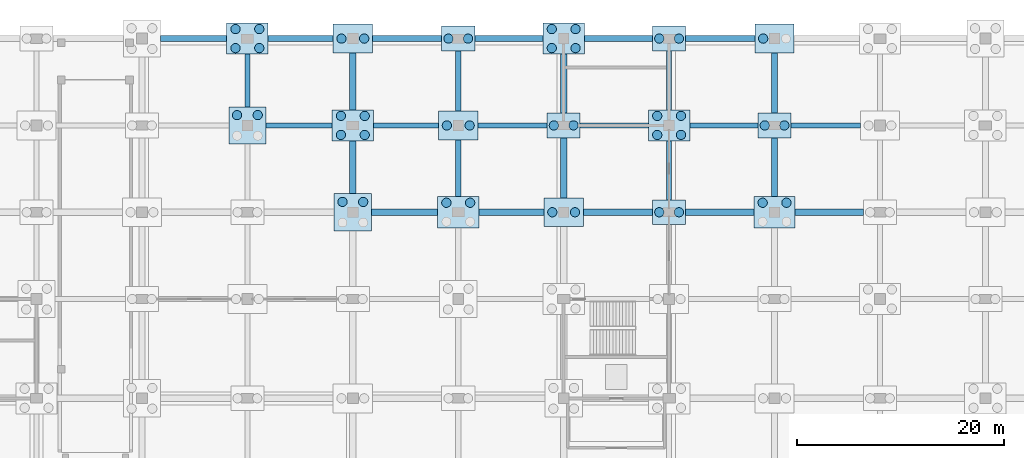
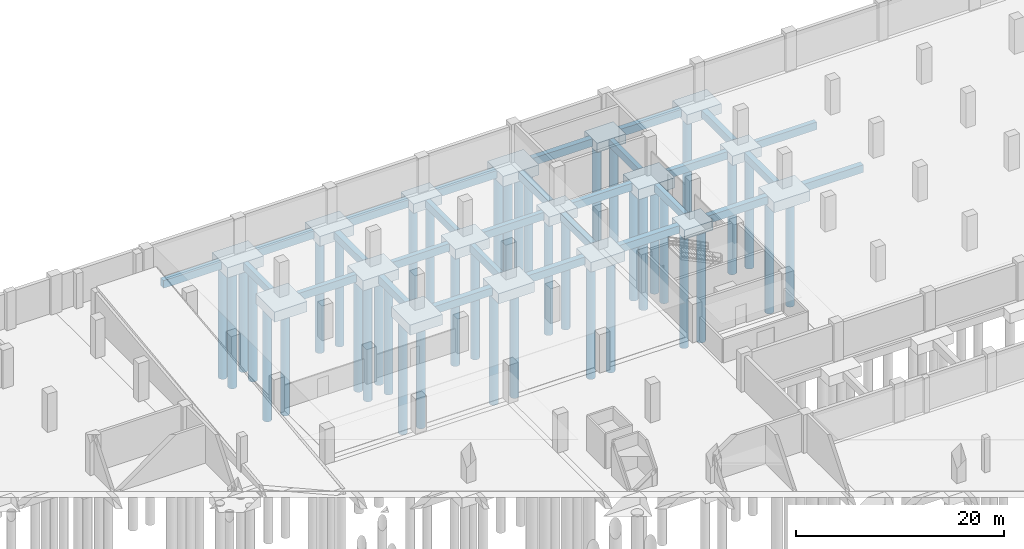
# One storey, part 20 of 52: 45 footings, 41 piles.
"""IFC4 building model written with IfcOpenShell, lengths in metres."""

from ifc_helpers import new_model, si_unit, direction, frame, origin, origin_2d, place, context, subcontext, project, spatial, polyline, rectangle, circle, outline, extrude, material, material_profile, profile_set, type_object, element, save


model = new_model("IFC4")

# Units and contexts
model_context = context("Model", 3, precision=1e-05, world=origin(), true_north=direction((0.0, 1.0)))
body_context = subcontext(model_context, "Body", "Model", "MODEL_VIEW")
ifc_project = project(units=[si_unit("LENGTHUNIT", "METRE"), si_unit("AREAUNIT", "SQUARE_METRE"), si_unit("VOLUMEUNIT", "CUBIC_METRE"), si_unit("PLANEANGLEUNIT", "RADIAN"), si_unit("MASSUNIT", "GRAM", prefix="KILO")], contexts=[model_context])

# Site, building, storey
site_placement = place(None, origin())
site = spatial("IfcSite", under=ifc_project, at=site_placement, CompositionType="ELEMENT")
building_placement = place(site_placement, origin())
building = spatial("IfcBuilding", under=site, at=building_placement, Name="Brelvane Convention Centre", CompositionType="ELEMENT")
storey_placement = place(building_placement, frame((0.0, 0.0, -4.5)))
storey = spatial("IfcBuildingStorey", under=building, at=storey_placement, Name="B1", CompositionType="ELEMENT", Elevation=-4.5)

# Piles
ifc_material_1 = material(Name="Concrete M40", Category="concrete")
ifc_material_profile_1 = material_profile(ifc_material_1, circle(Radius=0.449951171875, at=origin_2d()), Name="PILE D900")
ifc_profile_set_1 = profile_set([ifc_material_profile_1], Name="Concrete M40")
pile_type = type_object("IfcPileType", Name="Bored Pile PL-900", PredefinedType="BORED", material=ifc_profile_set_1)
for number, where, z_axis, x_axis, name in (
    (1, (131.60009765625, 136.60009765625, -1.550048828125), (0.0, 0.0, -1.0), (1.0, 0.0, 0.0), "Bored Pile PL-900 14-P-3"),
    (2, (133.60009765625, 136.60009765625, -1.550048828125), (0.0, 0.0, -1.0), (1.0, 0.0, 0.0), "Bored Pile PL-900 14-P-4"),
    (3, (131.449951171875, 143.080078125, -1.550048828125), (0.0, 0.0, -1.0), (1.0, 0.0, 0.0), "Bored Pile PL-900 14-Q-1"),
    (4, (133.75, 143.080078125, -1.550048828125), (0.0, 0.0, -1.0), (1.0, 0.0, 0.0), "Bored Pile PL-900 14-Q-2"),
    (5, (131.449951171875, 144.919921875, -1.550048828125), (0.0, 0.0, -1.0), (1.0, 0.0, 0.0), "Bored Pile PL-900 14-Q-3"),
    (6, (133.75, 144.919921875, -1.550048828125), (0.0, 0.0, -1.0), (1.0, 0.0, 0.0), "Bored Pile PL-900 14-Q-4"),
    (7, (141.800048828125, 128.199951171875, -1.550048828125), (0.0, 0.0, -1.0), (1.0, 0.0, 0.0), "Bored Pile PL-900 15-N-3"),
    (8, (143.800048828125, 128.199951171875, -1.550048828125), (0.0, 0.0, -1.0), (1.0, 0.0, 0.0), "Bored Pile PL-900 15-N-4"),
    (9, (141.64990234375, 134.679931640625, -1.550048828125), (0.0, 0.0, -1.0), (1.0, 0.0, 0.0), "Bored Pile PL-900 15-P-1"),
    (10, (143.949951171875, 134.679931640625, -1.550048828125), (0.0, 0.0, -1.0), (1.0, 0.0, 0.0), "Bored Pile PL-900 15-P-2"),
    (11, (141.64990234375, 136.52001953125, -1.550048828125), (0.0, 0.0, -1.0), (1.0, 0.0, 0.0), "Bored Pile PL-900 15-P-3"),
    (12, (143.949951171875, 136.52001953125, -1.550048828125), (0.0, 0.0, -1.0), (1.0, 0.0, 0.0), "Bored Pile PL-900 15-P-4"),
):
    element("IfcPile", number, at=place(storey_placement, frame(where, z_axis=z_axis, x_axis=x_axis)), inside=storey, type_object=pile_type, Name=name, PredefinedType="BORED", context=body_context, shape_type="SweptSolid", body=[
        extrude(circle(Radius=0.449951171875, at=origin_2d()), origin(), (0.0, 0.0, 1.0), 13.449951171875),
    ])
for number, where, z_axis, x_axis, name in (
    (13, (141.699951171875, 144.0, -1.5), (0.0, 0.0, -1.0), (1.0, 0.0, 0.0), "Bored Pile PL-900 15-Q-1"),
    (14, (143.89990234375, 144.0, -1.5), (0.0, 0.0, -1.0), (1.0, 0.0, 0.0), "Bored Pile PL-900 15-Q-2"),
):
    element("IfcPile", number, at=place(storey_placement, frame(where, z_axis=z_axis, x_axis=x_axis)), inside=storey, type_object=pile_type, Name=name, PredefinedType="BORED", context=body_context, shape_type="SweptSolid", body=[
        extrude(circle(Radius=0.449951171875, at=origin_2d()), origin(), (0.0, 0.0, 1.0), 13.5),
    ])
for number, where, z_axis, x_axis, name in (
    (15, (151.85009765625, 128.1201171875, -1.550048828125), (0.0, 0.0, -1.0), (1.0, 0.0, 0.0), "Bored Pile PL-900 16-N-3"),
    (16, (154.14990234375, 128.1201171875, -1.550048828125), (0.0, 0.0, -1.0), (1.0, 0.0, 0.0), "Bored Pile PL-900 16-N-4"),
):
    element("IfcPile", number, at=place(storey_placement, frame(where, z_axis=z_axis, x_axis=x_axis)), inside=storey, type_object=pile_type, Name=name, PredefinedType="BORED", context=body_context, shape_type="SweptSolid", body=[
        extrude(circle(Radius=0.449951171875, at=origin_2d()), origin(), (0.0, 0.0, 1.0), 13.449951171875),
    ])
for number, where, z_axis, x_axis, name in (
    (17, (151.89990234375, 135.60009765625, -1.5), (0.0, 0.0, -1.0), (1.0, 0.0, 0.0), "Bored Pile PL-900 16-P-1"),
    (18, (154.10009765625, 135.60009765625, -1.5), (0.0, 0.0, -1.0), (1.0, 0.0, 0.0), "Bored Pile PL-900 16-P-2"),
):
    element("IfcPile", number, at=place(storey_placement, frame(where, z_axis=z_axis, x_axis=x_axis)), inside=storey, type_object=pile_type, Name=name, PredefinedType="BORED", context=body_context, shape_type="SweptSolid", body=[
        extrude(circle(Radius=0.449951171875, at=origin_2d()), origin(), (0.0, 0.0, 1.0), 13.5),
    ])
for number, where, z_axis, x_axis, name in (
    (19, (152.050048828125, 144.0, -1.449951171875), (0.0, 0.0, -1.0), (1.0, 0.0, 0.0), "Bored Pile PL-900 16-Q-1"),
    (20, (153.949951171875, 144.0, -1.449951171875), (0.0, 0.0, -1.0), (1.0, 0.0, 0.0), "Bored Pile PL-900 16-Q-2"),
):
    element("IfcPile", number, at=place(storey_placement, frame(where, z_axis=z_axis, x_axis=x_axis)), inside=storey, type_object=pile_type, Name=name, PredefinedType="BORED", context=body_context, shape_type="SweptSolid", body=[
        extrude(circle(Radius=0.449951171875, at=origin_2d()), origin(), (0.0, 0.0, 1.0), 13.550048828125),
    ])
for number, where, z_axis, x_axis, name in (
    (21, (162.10009765625, 127.199951171875, -1.5), (0.0, 0.0, -1.0), (1.0, 0.0, 0.0), "Bored Pile PL-900 17-N-1"),
    (22, (164.300048828125, 127.199951171875, -1.5), (0.0, 0.0, -1.0), (1.0, 0.0, 0.0), "Bored Pile PL-900 17-N-2"),
):
    element("IfcPile", number, at=place(storey_placement, frame(where, z_axis=z_axis, x_axis=x_axis)), inside=storey, type_object=pile_type, Name=name, PredefinedType="BORED", context=body_context, shape_type="SweptSolid", body=[
        extrude(circle(Radius=0.449951171875, at=origin_2d()), origin(), (0.0, 0.0, 1.0), 13.5),
    ])
for number, where, z_axis, x_axis, name in (
    (23, (162.25, 135.60009765625, -1.449951171875), (0.0, 0.0, -1.0), (1.0, 0.0, 0.0), "Bored Pile PL-900 17-P-1"),
    (24, (164.14990234375, 135.60009765625, -1.449951171875), (0.0, 0.0, -1.0), (1.0, 0.0, 0.0), "Bored Pile PL-900 17-P-2"),
):
    element("IfcPile", number, at=place(storey_placement, frame(where, z_axis=z_axis, x_axis=x_axis)), inside=storey, type_object=pile_type, Name=name, PredefinedType="BORED", context=body_context, shape_type="SweptSolid", body=[
        extrude(circle(Radius=0.449951171875, at=origin_2d()), origin(), (0.0, 0.0, 1.0), 13.550048828125),
    ])
for number, where, z_axis, x_axis, name in (
    (25, (162.050048828125, 143.080078125, -1.550048828125), (0.0, 0.0, -1.0), (1.0, 0.0, 0.0), "Bored Pile PL-900 17-Q-1"),
    (26, (164.35009765625, 143.080078125, -1.550048828125), (0.0, 0.0, -1.0), (1.0, 0.0, 0.0), "Bored Pile PL-900 17-Q-2"),
    (27, (162.050048828125, 144.919921875, -1.550048828125), (0.0, 0.0, -1.0), (1.0, 0.0, 0.0), "Bored Pile PL-900 17-Q-3"),
    (28, (164.35009765625, 144.919921875, -1.550048828125), (0.0, 0.0, -1.0), (1.0, 0.0, 0.0), "Bored Pile PL-900 17-Q-4"),
):
    element("IfcPile", number, at=place(storey_placement, frame(where, z_axis=z_axis, x_axis=x_axis)), inside=storey, type_object=pile_type, Name=name, PredefinedType="BORED", context=body_context, shape_type="SweptSolid", body=[
        extrude(circle(Radius=0.449951171875, at=origin_2d()), origin(), (0.0, 0.0, 1.0), 13.449951171875),
    ])
for number, where, z_axis, x_axis, name in (
    (29, (172.449951171875, 127.199951171875, -1.449951171875), (0.0, 0.0, -1.0), (1.0, 0.0, 0.0), "Bored Pile PL-900 18-N-1"),
    (30, (174.35009765625, 127.199951171875, -1.449951171875), (0.0, 0.0, -1.0), (1.0, 0.0, 0.0), "Bored Pile PL-900 18-N-2"),
):
    element("IfcPile", number, at=place(storey_placement, frame(where, z_axis=z_axis, x_axis=x_axis)), inside=storey, type_object=pile_type, Name=name, PredefinedType="BORED", context=body_context, shape_type="SweptSolid", body=[
        extrude(circle(Radius=0.449951171875, at=origin_2d()), origin(), (0.0, 0.0, 1.0), 13.550048828125),
    ])
for number, where, z_axis, x_axis, name in (
    (31, (172.25, 134.679931640625, -1.550048828125), (0.0, 0.0, -1.0), (1.0, 0.0, 0.0), "Bored Pile PL-900 18-P-1"),
    (32, (174.550048828125, 134.679931640625, -1.550048828125), (0.0, 0.0, -1.0), (1.0, 0.0, 0.0), "Bored Pile PL-900 18-P-2"),
    (33, (172.25, 136.52001953125, -1.550048828125), (0.0, 0.0, -1.0), (1.0, 0.0, 0.0), "Bored Pile PL-900 18-P-3"),
    (34, (174.550048828125, 136.52001953125, -1.550048828125), (0.0, 0.0, -1.0), (1.0, 0.0, 0.0), "Bored Pile PL-900 18-P-4"),
):
    element("IfcPile", number, at=place(storey_placement, frame(where, z_axis=z_axis, x_axis=x_axis)), inside=storey, type_object=pile_type, Name=name, PredefinedType="BORED", context=body_context, shape_type="SweptSolid", body=[
        extrude(circle(Radius=0.449951171875, at=origin_2d()), origin(), (0.0, 0.0, 1.0), 13.449951171875),
    ])
for number, where, z_axis, x_axis, name in (
    (35, (172.449951171875, 144.0, -1.449951171875), (0.0, 0.0, -1.0), (1.0, 0.0, 0.0), "Bored Pile PL-900 18-Q-1"),
    (36, (174.35009765625, 144.0, -1.449951171875), (0.0, 0.0, -1.0), (1.0, 0.0, 0.0), "Bored Pile PL-900 18-Q-2"),
):
    element("IfcPile", number, at=place(storey_placement, frame(where, z_axis=z_axis, x_axis=x_axis)), inside=storey, type_object=pile_type, Name=name, PredefinedType="BORED", context=body_context, shape_type="SweptSolid", body=[
        extrude(circle(Radius=0.449951171875, at=origin_2d()), origin(), (0.0, 0.0, 1.0), 13.550048828125),
    ])
for number, where, z_axis, x_axis, name in (
    (37, (182.449951171875, 128.1201171875, -1.550048828125), (0.0, 0.0, -1.0), (1.0, 0.0, 0.0), "Bored Pile PL-900 19-N-3"),
    (38, (184.75, 128.1201171875, -1.550048828125), (0.0, 0.0, -1.0), (1.0, 0.0, 0.0), "Bored Pile PL-900 19-N-4"),
):
    element("IfcPile", number, at=place(storey_placement, frame(where, z_axis=z_axis, x_axis=x_axis)), inside=storey, type_object=pile_type, Name=name, PredefinedType="BORED", context=body_context, shape_type="SweptSolid", body=[
        extrude(circle(Radius=0.449951171875, at=origin_2d()), origin(), (0.0, 0.0, 1.0), 13.449951171875),
    ])
for number, where, z_axis, x_axis, name in (
    (39, (182.64990234375, 135.60009765625, -1.449951171875), (0.0, 0.0, -1.0), (1.0, 0.0, 0.0), "Bored Pile PL-900 19-P-1"),
    (40, (184.550048828125, 135.60009765625, -1.449951171875), (0.0, 0.0, -1.0), (1.0, 0.0, 0.0), "Bored Pile PL-900 19-P-2"),
):
    element("IfcPile", number, at=place(storey_placement, frame(where, z_axis=z_axis, x_axis=x_axis)), inside=storey, type_object=pile_type, Name=name, PredefinedType="BORED", context=body_context, shape_type="SweptSolid", body=[
        extrude(circle(Radius=0.449951171875, at=origin_2d()), origin(), (0.0, 0.0, 1.0), 13.550048828125),
    ])
pile_placement = place(storey_placement, frame((182.5, 144.0, -1.5), z_axis=(0.0, 0.0, -1.0), x_axis=(1.0, 0.0, 0.0)))
element("IfcPile", 41, at=pile_placement, inside=storey, type_object=pile_type, Name="Bored Pile PL-900 19-Q-1", PredefinedType="BORED", context=body_context, shape_type="SweptSolid", body=[
    extrude(circle(Radius=0.449951171875, at=origin_2d()), origin(), (0.0, 0.0, 1.0), 13.5),
])

# Footings
ifc_material_2 = material(Name="Concrete M40", Category="concrete")
ifc_material_profile_2 = material_profile(ifc_material_2, rectangle(XDim=0.60009765625, YDim=0.89990234375, at=origin_2d()), Name="RC 600x900")
ifc_profile_set_2 = profile_set([ifc_material_profile_2], Name="Concrete M40")
footing_type_1 = type_object("IfcFootingType", Name="Ground Tie Beam GB-1", PredefinedType="FOOTING_BEAM", material=ifc_profile_set_2)
footing_1_placement = place(storey_placement, frame((124.199951171875, 144.0, -0.89990234375), z_axis=(1.0, 0.0, 0.0), x_axis=(0.0, 1.0, 0.0)))
element("IfcFooting", 42, at=footing_1_placement, inside=storey, type_object=footing_type_1, Name="Ground Tie Beam GB-1 13-14/Q", PredefinedType="FOOTING_BEAM", context=body_context, shape_type="SweptSolid", body=[
    extrude(rectangle(XDim=0.60009765625, YDim=0.89990234375, at=origin_2d()), origin(), (0.0, 0.0, 1.0), 6.400146484375),
])
footing_2_placement = place(storey_placement, frame((134.60009765625, 144.0, -0.89990234375), z_axis=(1.0, 0.0, 0.0), x_axis=(0.0, 1.0, 0.0)))
element("IfcFooting", 43, at=footing_2_placement, inside=storey, type_object=footing_type_1, Name="Ground Tie Beam GB-1 14-15/Q", PredefinedType="FOOTING_BEAM", context=body_context, shape_type="SweptSolid", body=[
    extrude(rectangle(XDim=0.60009765625, YDim=0.89990234375, at=origin_2d()), origin(), (0.0, 0.0, 1.0), 6.2998046875),
])
footing_3_placement = place(storey_placement, frame((144.60009765625, 127.199951171875, -0.89990234375), z_axis=(1.0, 0.0, 0.0), x_axis=(0.0, 1.0, 0.0)))
element("IfcFooting", 44, at=footing_3_placement, inside=storey, type_object=footing_type_1, Name="Ground Tie Beam GB-1 15-16/N", PredefinedType="FOOTING_BEAM", context=body_context, shape_type="SweptSolid", body=[
    extrude(rectangle(XDim=0.60009765625, YDim=0.89990234375, at=origin_2d()), origin(), (0.0, 0.0, 1.0), 6.39990234375),
])
footing_4_placement = place(storey_placement, frame((142.800048828125, 129.0, -0.89990234375), z_axis=(0.0, 1.0, 0.0), x_axis=(-1.0, 0.0, 0.0)))
element("IfcFooting", 45, at=footing_4_placement, inside=storey, type_object=footing_type_1, Name="Ground Tie Beam GB-1 15/N-P", PredefinedType="FOOTING_BEAM", context=body_context, shape_type="SweptSolid", body=[
    extrude(rectangle(XDim=0.60009765625, YDim=0.89990234375, at=origin_2d()), origin(), (0.0, 0.0, 1.0), 5.10009765625),
])
footing_5_placement = place(storey_placement, frame((142.800048828125, 137.10009765625, -0.89990234375), z_axis=(0.0, 1.0, 0.0), x_axis=(-1.0, 0.0, 0.0)))
element("IfcFooting", 46, at=footing_5_placement, inside=storey, type_object=footing_type_1, Name="Ground Tie Beam GB-1 15/P-Q", PredefinedType="FOOTING_BEAM", context=body_context, shape_type="SweptSolid", body=[
    extrude(rectangle(XDim=0.60009765625, YDim=0.89990234375, at=origin_2d()), origin(), (0.0, 0.0, 1.0), 5.5),
])
footing_6_placement = place(storey_placement, frame((144.699951171875, 144.0, -0.89990234375), z_axis=(1.0, 0.0, 0.0), x_axis=(0.0, 1.0, 0.0)))
element("IfcFooting", 47, at=footing_6_placement, inside=storey, type_object=footing_type_1, Name="Ground Tie Beam GB-1 15-16/Q", PredefinedType="FOOTING_BEAM", context=body_context, shape_type="SweptSolid", body=[
    extrude(rectangle(XDim=0.60009765625, YDim=0.89990234375, at=origin_2d()), origin(), (0.0, 0.0, 1.0), 6.699951171875),
])
footing_7_placement = place(storey_placement, frame((155.0, 127.199951171875, -0.89990234375), z_axis=(1.0, 0.0, 0.0), x_axis=(0.0, 1.0, 0.0)))
element("IfcFooting", 48, at=footing_7_placement, inside=storey, type_object=footing_type_1, Name="Ground Tie Beam GB-1 16-17/N", PredefinedType="FOOTING_BEAM", context=body_context, shape_type="SweptSolid", body=[
    extrude(rectangle(XDim=0.60009765625, YDim=0.89990234375, at=origin_2d()), origin(), (0.0, 0.0, 1.0), 6.300048828125),
])
footing_8_placement = place(storey_placement, frame((154.60009765625, 144.0, -0.89990234375), z_axis=(1.0, 0.0, 0.0), x_axis=(0.0, 1.0, 0.0)))
element("IfcFooting", 49, at=footing_8_placement, inside=storey, type_object=footing_type_1, Name="Ground Tie Beam GB-1 16-17/Q", PredefinedType="FOOTING_BEAM", context=body_context, shape_type="SweptSolid", body=[
    extrude(rectangle(XDim=0.60009765625, YDim=0.89990234375, at=origin_2d()), origin(), (0.0, 0.0, 1.0), 6.599853515625),
])
footing_9_placement = place(storey_placement, frame((165.10009765625, 127.199951171875, -0.89990234375), z_axis=(1.0, 0.0, 0.0), x_axis=(0.0, 1.0, 0.0)))
element("IfcFooting", 50, at=footing_9_placement, inside=storey, type_object=footing_type_1, Name="Ground Tie Beam GB-1 17-18/N", PredefinedType="FOOTING_BEAM", context=body_context, shape_type="SweptSolid", body=[
    extrude(rectangle(XDim=0.60009765625, YDim=0.89990234375, at=origin_2d()), origin(), (0.0, 0.0, 1.0), 6.699951171875),
])
footing_10_placement = place(storey_placement, frame((163.199951171875, 128.60009765625, -0.89990234375), z_axis=(0.0, 1.0, 0.0), x_axis=(-1.0, 0.0, 0.0)))
element("IfcFooting", 51, at=footing_10_placement, inside=storey, type_object=footing_type_1, Name="Ground Tie Beam GB-1 17/N-P", PredefinedType="FOOTING_BEAM", context=body_context, shape_type="SweptSolid", body=[
    extrude(rectangle(XDim=0.60009765625, YDim=0.89990234375, at=origin_2d()), origin(), (0.0, 0.0, 1.0), 5.7998046875),
])
footing_11_placement = place(storey_placement, frame((163.199951171875, 136.800048828125, -0.89990234375), z_axis=(0.0, 1.0, 0.0), x_axis=(-1.0, 0.0, 0.0)))
element("IfcFooting", 52, at=footing_11_placement, inside=storey, type_object=footing_type_1, Name="Ground Tie Beam GB-1 17/P-Q", PredefinedType="FOOTING_BEAM", context=body_context, shape_type="SweptSolid", body=[
    extrude(rectangle(XDim=0.60009765625, YDim=0.89990234375, at=origin_2d()), origin(), (0.0, 0.0, 1.0), 5.699951171875),
])
for number, where, z_axis, x_axis, name in (
    (53, (165.199951171875, 144.0, -0.89990234375), (1.0, 0.0, 0.0), (0.0, 1.0, 0.0), "Ground Tie Beam GB-1 17-18/Q"),
    (54, (175.0, 127.199951171875, -0.89990234375), (1.0, 0.0, 0.0), (0.0, 1.0, 0.0), "Ground Tie Beam GB-1 18-19/N"),
):
    element("IfcFooting", number, at=place(storey_placement, frame(where, z_axis=z_axis, x_axis=x_axis)), inside=storey, type_object=footing_type_1, Name=name, PredefinedType="FOOTING_BEAM", context=body_context, shape_type="SweptSolid", body=[
        extrude(rectangle(XDim=0.60009765625, YDim=0.89990234375, at=origin_2d()), origin(), (0.0, 0.0, 1.0), 6.60009765625),
    ])
footing_12_placement = place(storey_placement, frame((175.0, 144.0, -0.89990234375), z_axis=(1.0, 0.0, 0.0), x_axis=(0.0, 1.0, 0.0)))
element("IfcFooting", 55, at=footing_12_placement, inside=storey, type_object=footing_type_1, Name="Ground Tie Beam GB-1 18-19/Q", PredefinedType="FOOTING_BEAM", context=body_context, shape_type="SweptSolid", body=[
    extrude(rectangle(XDim=0.60009765625, YDim=0.89990234375, at=origin_2d()), origin(), (0.0, 0.0, 1.0), 6.699951171875),
])
footing_13_placement = place(storey_placement, frame((185.60009765625, 127.199951171875, -0.89990234375), z_axis=(1.0, 0.0, 0.0), x_axis=(0.0, 1.0, 0.0)))
element("IfcFooting", 56, at=footing_13_placement, inside=storey, type_object=footing_type_1, Name="Ground Tie Beam GB-1 19-20/N", PredefinedType="FOOTING_BEAM", context=body_context, shape_type="SweptSolid", body=[
    extrude(rectangle(XDim=0.60009765625, YDim=0.89990234375, at=origin_2d()), origin(), (0.0, 0.0, 1.0), 6.599853515625),
])
footing_14_placement = place(storey_placement, frame((183.60009765625, 128.699951171875, -0.89990234375), z_axis=(0.0, 1.0, 0.0), x_axis=(-1.0, 0.0, 0.0)))
element("IfcFooting", 57, at=footing_14_placement, inside=storey, type_object=footing_type_1, Name="Ground Tie Beam GB-1 19/N-P", PredefinedType="FOOTING_BEAM", context=body_context, shape_type="SweptSolid", body=[
    extrude(rectangle(XDim=0.60009765625, YDim=0.89990234375, at=origin_2d()), origin(), (0.0, 0.0, 1.0), 5.699951171875),
])
footing_15_placement = place(storey_placement, frame((183.60009765625, 136.800048828125, -0.89990234375), z_axis=(0.0, 1.0, 0.0), x_axis=(-1.0, 0.0, 0.0)))
element("IfcFooting", 58, at=footing_15_placement, inside=storey, type_object=footing_type_1, Name="Ground Tie Beam GB-1 19/P-Q", PredefinedType="FOOTING_BEAM", context=body_context, shape_type="SweptSolid", body=[
    extrude(rectangle(XDim=0.60009765625, YDim=0.89990234375, at=origin_2d()), origin(), (0.0, 0.0, 1.0), 5.800048828125),
])
ifc_material_3 = material(Name="Concrete M40", Category="concrete")
ifc_material_profile_3 = material_profile(ifc_material_3, rectangle(XDim=0.5, YDim=0.89990234375, at=origin_2d()), Name="RC 500x900")
ifc_profile_set_3 = profile_set([ifc_material_profile_3], Name="Concrete M40")
footing_type_2 = type_object("IfcFootingType", Name="Ground Tie Beam GB-2", PredefinedType="FOOTING_BEAM", material=ifc_profile_set_3)
footing_16_placement = place(storey_placement, frame((134.39990234375, 135.60009765625, -0.89990234375), z_axis=(1.0, 0.0, 0.0), x_axis=(0.0, 1.0, 0.0)))
element("IfcFooting", 59, at=footing_16_placement, inside=storey, type_object=footing_type_2, Name="Ground Tie Beam GB-2 14-15/P", PredefinedType="FOOTING_BEAM", context=body_context, shape_type="SweptSolid", body=[
    extrude(rectangle(XDim=0.5, YDim=0.89990234375, at=origin_2d()), origin(), (0.0, 0.0, 1.0), 6.400146484375),
])
footing_17_placement = place(storey_placement, frame((132.60009765625, 137.39990234375, -0.89990234375), z_axis=(0.0, 1.0, 0.0), x_axis=(-1.0, 0.0, 0.0)))
element("IfcFooting", 60, at=footing_17_placement, inside=storey, type_object=footing_type_2, Name="Ground Tie Beam GB-2 14/P-Q", PredefinedType="FOOTING_BEAM", context=body_context, shape_type="SweptSolid", body=[
    extrude(rectangle(XDim=0.5, YDim=0.89990234375, at=origin_2d()), origin(), (0.0, 0.0, 1.0), 5.10009765625),
])
footing_18_placement = place(storey_placement, frame((144.800048828125, 135.60009765625, -0.89990234375), z_axis=(1.0, 0.0, 0.0), x_axis=(0.0, 1.0, 0.0)))
element("IfcFooting", 61, at=footing_18_placement, inside=storey, type_object=footing_type_2, Name="Ground Tie Beam GB-2 15-16/P", PredefinedType="FOOTING_BEAM", context=body_context, shape_type="SweptSolid", body=[
    extrude(rectangle(XDim=0.5, YDim=0.89990234375, at=origin_2d()), origin(), (0.0, 0.0, 1.0), 6.300048828125),
])
footing_19_placement = place(storey_placement, frame((153.0, 128.699951171875, -0.89990234375), z_axis=(0.0, 1.0, 0.0), x_axis=(-1.0, 0.0, 0.0)))
element("IfcFooting", 62, at=footing_19_placement, inside=storey, type_object=footing_type_2, Name="Ground Tie Beam GB-2 16/N-P", PredefinedType="FOOTING_BEAM", context=body_context, shape_type="SweptSolid", body=[
    extrude(rectangle(XDim=0.5, YDim=0.89990234375, at=origin_2d()), origin(), (0.0, 0.0, 1.0), 5.5),
])
footing_20_placement = place(storey_placement, frame((154.89990234375, 135.60009765625, -0.89990234375), z_axis=(1.0, 0.0, 0.0), x_axis=(0.0, 1.0, 0.0)))
element("IfcFooting", 63, at=footing_20_placement, inside=storey, type_object=footing_type_2, Name="Ground Tie Beam GB-2 16-17/P", PredefinedType="FOOTING_BEAM", context=body_context, shape_type="SweptSolid", body=[
    extrude(rectangle(XDim=0.5, YDim=0.89990234375, at=origin_2d()), origin(), (0.0, 0.0, 1.0), 6.7001953125),
])
footing_21_placement = place(storey_placement, frame((153.0, 137.0, -0.89990234375), z_axis=(0.0, 1.0, 0.0), x_axis=(-1.0, 0.0, 0.0)))
element("IfcFooting", 64, at=footing_21_placement, inside=storey, type_object=footing_type_2, Name="Ground Tie Beam GB-2 16/P-Q", PredefinedType="FOOTING_BEAM", context=body_context, shape_type="SweptSolid", body=[
    extrude(rectangle(XDim=0.5, YDim=0.89990234375, at=origin_2d()), origin(), (0.0, 0.0, 1.0), 5.800048828125),
])
footing_22_placement = place(storey_placement, frame((164.800048828125, 135.60009765625, -0.89990234375), z_axis=(1.0, 0.0, 0.0), x_axis=(0.0, 1.0, 0.0)))
element("IfcFooting", 65, at=footing_22_placement, inside=storey, type_object=footing_type_2, Name="Ground Tie Beam GB-2 17-18/P", PredefinedType="FOOTING_BEAM", context=body_context, shape_type="SweptSolid", body=[
    extrude(rectangle(XDim=0.5, YDim=0.89990234375, at=origin_2d()), origin(), (0.0, 0.0, 1.0), 6.599853515625),
])
footing_23_placement = place(storey_placement, frame((173.39990234375, 128.39990234375, -0.89990234375), z_axis=(0.0, 1.0, 0.0), x_axis=(-1.0, 0.0, 0.0)))
element("IfcFooting", 66, at=footing_23_placement, inside=storey, type_object=footing_type_2, Name="Ground Tie Beam GB-2 18/N-P", PredefinedType="FOOTING_BEAM", context=body_context, shape_type="SweptSolid", body=[
    extrude(rectangle(XDim=0.5, YDim=0.89990234375, at=origin_2d()), origin(), (0.0, 0.0, 1.0), 5.7001953125),
])
footing_24_placement = place(storey_placement, frame((175.39990234375, 135.60009765625, -0.89990234375), z_axis=(1.0, 0.0, 0.0), x_axis=(0.0, 1.0, 0.0)))
element("IfcFooting", 67, at=footing_24_placement, inside=storey, type_object=footing_type_2, Name="Ground Tie Beam GB-2 18-19/P", PredefinedType="FOOTING_BEAM", context=body_context, shape_type="SweptSolid", body=[
    extrude(rectangle(XDim=0.5, YDim=0.89990234375, at=origin_2d()), origin(), (0.0, 0.0, 1.0), 6.60009765625),
])
footing_25_placement = place(storey_placement, frame((173.39990234375, 137.10009765625, -0.89990234375), z_axis=(0.0, 1.0, 0.0), x_axis=(-1.0, 0.0, 0.0)))
element("IfcFooting", 68, at=footing_25_placement, inside=storey, type_object=footing_type_2, Name="Ground Tie Beam GB-2 18/P-Q", PredefinedType="FOOTING_BEAM", context=body_context, shape_type="SweptSolid", body=[
    extrude(rectangle(XDim=0.5, YDim=0.89990234375, at=origin_2d()), origin(), (0.0, 0.0, 1.0), 5.699951171875),
])
footing_26_placement = place(storey_placement, frame((185.199951171875, 135.60009765625, -0.89990234375), z_axis=(1.0, 0.0, 0.0), x_axis=(0.0, 1.0, 0.0)))
element("IfcFooting", 69, at=footing_26_placement, inside=storey, type_object=footing_type_2, Name="Ground Tie Beam GB-2 19-20/P", PredefinedType="FOOTING_BEAM", context=body_context, shape_type="SweptSolid", body=[
    extrude(rectangle(XDim=0.5, YDim=0.89990234375, at=origin_2d()), origin(), (0.0, 0.0, 1.0), 6.699951171875),
])
ifc_material_4 = material(Name="Concrete M40", Category="concrete")
footing_type_3 = type_object("IfcFootingType", Name="Pile Cap PC-2", PredefinedType="PILE_CAP", material=ifc_material_4)
footing_27_placement = place(storey_placement, frame((0.0, 0.0, -1.550048828125)))
element("IfcFooting", 70, at=footing_27_placement, inside=storey, type_object=footing_type_3, Name="Pile Cap PC-2 at 16-Q", PredefinedType="PILE_CAP", context=body_context, shape_type="SweptSolid", body=[
    extrude(outline(polyline([(151.39990234375, 142.800048828125), (154.60009765625, 142.800048828125), (154.60009765625, 145.199951171875), (151.39990234375, 145.199951171875), (151.39990234375, 142.800048828125)])), origin(), (0.0, 0.0, 1.0), 1.10009765625),
])
footing_28_placement = place(storey_placement, frame((0.0, 0.0, -1.550048828125)))
element("IfcFooting", 71, at=footing_28_placement, inside=storey, type_object=footing_type_3, Name="Pile Cap PC-2 at 17-P", PredefinedType="PILE_CAP", context=body_context, shape_type="SweptSolid", body=[
    extrude(outline(polyline([(161.60009765625, 134.39990234375), (164.800048828125, 134.39990234375), (164.800048828125, 136.800048828125), (161.60009765625, 136.800048828125), (161.60009765625, 134.39990234375)])), origin(), (0.0, 0.0, 1.0), 1.10009765625),
])
footing_29_placement = place(storey_placement, frame((0.0, 0.0, -1.550048828125)))
element("IfcFooting", 72, at=footing_29_placement, inside=storey, type_object=footing_type_3, Name="Pile Cap PC-2 at 18-N", PredefinedType="PILE_CAP", context=body_context, shape_type="SweptSolid", body=[
    extrude(outline(polyline([(171.800048828125, 126.0), (175.0, 126.0), (175.0, 128.39990234375), (171.800048828125, 128.39990234375), (171.800048828125, 126.0)])), origin(), (0.0, 0.0, 1.0), 1.10009765625),
])
footing_30_placement = place(storey_placement, frame((0.0, 0.0, -1.550048828125)))
element("IfcFooting", 73, at=footing_30_placement, inside=storey, type_object=footing_type_3, Name="Pile Cap PC-2 at 18-Q", PredefinedType="PILE_CAP", context=body_context, shape_type="SweptSolid", body=[
    extrude(outline(polyline([(171.800048828125, 142.800048828125), (175.0, 142.800048828125), (175.0, 145.199951171875), (171.800048828125, 145.199951171875), (171.800048828125, 142.800048828125)])), origin(), (0.0, 0.0, 1.0), 1.10009765625),
])
footing_31_placement = place(storey_placement, frame((0.0, 0.0, -1.550048828125)))
element("IfcFooting", 74, at=footing_31_placement, inside=storey, type_object=footing_type_3, Name="Pile Cap PC-2 at 19-P", PredefinedType="PILE_CAP", context=body_context, shape_type="SweptSolid", body=[
    extrude(outline(polyline([(182.0, 134.39990234375), (185.199951171875, 134.39990234375), (185.199951171875, 136.800048828125), (182.0, 136.800048828125), (182.0, 134.39990234375)])), origin(), (0.0, 0.0, 1.0), 1.10009765625),
])
ifc_material_5 = material(Name="Concrete M40", Category="concrete")
footing_type_4 = type_object("IfcFootingType", Name="Pile Cap PC-3", PredefinedType="PILE_CAP", material=ifc_material_5)
footing_32_placement = place(storey_placement, frame((0.0, 0.0, -1.64990234375)))
element("IfcFooting", 75, at=footing_32_placement, inside=storey, type_object=footing_type_4, Name="Pile Cap PC-3 at 14-P", PredefinedType="PILE_CAP", context=body_context, shape_type="SweptSolid", body=[
    extrude(outline(polyline([(130.800048828125, 133.800048828125), (134.39990234375, 133.800048828125), (134.39990234375, 137.39990234375), (130.800048828125, 137.39990234375), (130.800048828125, 133.800048828125)])), origin(), (0.0, 0.0, 1.0), 1.199951171875),
])
footing_33_placement = place(storey_placement, frame((0.0, 0.0, -1.64990234375)))
element("IfcFooting", 76, at=footing_33_placement, inside=storey, type_object=footing_type_4, Name="Pile Cap PC-3 at 15-N", PredefinedType="PILE_CAP", context=body_context, shape_type="SweptSolid", body=[
    extrude(outline(polyline([(141.0, 125.39990234375), (144.60009765625, 125.39990234375), (144.60009765625, 129.0), (141.0, 129.0), (141.0, 125.39990234375)])), origin(), (0.0, 0.0, 1.0), 1.199951171875),
])
ifc_material_6 = material(Name="Concrete M40", Category="concrete")
footing_type_5 = type_object("IfcFootingType", Name="Pile Cap PC-4", PredefinedType="PILE_CAP", material=ifc_material_6)
footing_34_placement = place(storey_placement, frame((0.0, 0.0, -1.64990234375)))
element("IfcFooting", 77, at=footing_34_placement, inside=storey, type_object=footing_type_5, Name="Pile Cap PC-4 at 14-Q", PredefinedType="PILE_CAP", context=body_context, shape_type="SweptSolid", body=[
    extrude(outline(polyline([(130.60009765625, 142.5), (134.60009765625, 142.5), (134.60009765625, 145.5), (130.60009765625, 145.5), (130.60009765625, 142.5)])), origin(), (0.0, 0.0, 1.0), 1.199951171875),
])
footing_35_placement = place(storey_placement, frame((0.0, 0.0, -1.64990234375)))
element("IfcFooting", 78, at=footing_35_placement, inside=storey, type_object=footing_type_5, Name="Pile Cap PC-4 at 15-P", PredefinedType="PILE_CAP", context=body_context, shape_type="SweptSolid", body=[
    extrude(outline(polyline([(140.800048828125, 134.10009765625), (144.800048828125, 134.10009765625), (144.800048828125, 137.10009765625), (140.800048828125, 137.10009765625), (140.800048828125, 134.10009765625)])), origin(), (0.0, 0.0, 1.0), 1.199951171875),
])
footing_36_placement = place(storey_placement, frame((0.0, 0.0, -1.64990234375)))
element("IfcFooting", 79, at=footing_36_placement, inside=storey, type_object=footing_type_5, Name="Pile Cap PC-4 at 16-N", PredefinedType="PILE_CAP", context=body_context, shape_type="SweptSolid", body=[
    extrude(outline(polyline([(151.0, 125.699951171875), (155.0, 125.699951171875), (155.0, 128.699951171875), (151.0, 128.699951171875), (151.0, 125.699951171875)])), origin(), (0.0, 0.0, 1.0), 1.199951171875),
])
footing_37_placement = place(storey_placement, frame((0.0, 0.0, -1.64990234375)))
element("IfcFooting", 80, at=footing_37_placement, inside=storey, type_object=footing_type_5, Name="Pile Cap PC-4 at 17-Q", PredefinedType="PILE_CAP", context=body_context, shape_type="SweptSolid", body=[
    extrude(outline(polyline([(161.199951171875, 142.5), (165.199951171875, 142.5), (165.199951171875, 145.5), (161.199951171875, 145.5), (161.199951171875, 142.5)])), origin(), (0.0, 0.0, 1.0), 1.199951171875),
])
footing_38_placement = place(storey_placement, frame((0.0, 0.0, -1.64990234375)))
element("IfcFooting", 81, at=footing_38_placement, inside=storey, type_object=footing_type_5, Name="Pile Cap PC-4 at 18-P", PredefinedType="PILE_CAP", context=body_context, shape_type="SweptSolid", body=[
    extrude(outline(polyline([(171.39990234375, 134.10009765625), (175.39990234375, 134.10009765625), (175.39990234375, 137.10009765625), (171.39990234375, 137.10009765625), (171.39990234375, 134.10009765625)])), origin(), (0.0, 0.0, 1.0), 1.199951171875),
])
footing_39_placement = place(storey_placement, frame((0.0, 0.0, -1.64990234375)))
element("IfcFooting", 82, at=footing_39_placement, inside=storey, type_object=footing_type_5, Name="Pile Cap PC-4 at 19-N", PredefinedType="PILE_CAP", context=body_context, shape_type="SweptSolid", body=[
    extrude(outline(polyline([(181.60009765625, 125.699951171875), (185.60009765625, 125.699951171875), (185.60009765625, 128.699951171875), (181.60009765625, 128.699951171875), (181.60009765625, 125.699951171875)])), origin(), (0.0, 0.0, 1.0), 1.199951171875),
])
ifc_material_7 = material(Name="Concrete M40", Category="concrete")
footing_type_6 = type_object("IfcFootingType", Name="Pile Cap PC-9", PredefinedType="PILE_CAP", material=ifc_material_7)
footing_40_placement = place(storey_placement, frame((0.0, 0.0, -1.60009765625)))
element("IfcFooting", 83, at=footing_40_placement, inside=storey, type_object=footing_type_6, Name="Pile Cap PC-9 at 15-Q", PredefinedType="PILE_CAP", context=body_context, shape_type="SweptSolid", body=[
    extrude(outline(polyline([(140.89990234375, 142.60009765625), (144.699951171875, 142.60009765625), (144.699951171875, 145.39990234375), (140.89990234375, 145.39990234375), (140.89990234375, 142.60009765625)])), origin(), (0.0, 0.0, 1.0), 1.150146484375),
])
footing_41_placement = place(storey_placement, frame((0.0, 0.0, -1.60009765625)))
element("IfcFooting", 84, at=footing_41_placement, inside=storey, type_object=footing_type_6, Name="Pile Cap PC-9 at 16-P", PredefinedType="PILE_CAP", context=body_context, shape_type="SweptSolid", body=[
    extrude(outline(polyline([(151.10009765625, 134.199951171875), (154.89990234375, 134.199951171875), (154.89990234375, 137.0), (151.10009765625, 137.0), (151.10009765625, 134.199951171875)])), origin(), (0.0, 0.0, 1.0), 1.150146484375),
])
footing_42_placement = place(storey_placement, frame((0.0, 0.0, -1.60009765625)))
element("IfcFooting", 85, at=footing_42_placement, inside=storey, type_object=footing_type_6, Name="Pile Cap PC-9 at 17-N", PredefinedType="PILE_CAP", context=body_context, shape_type="SweptSolid", body=[
    extrude(outline(polyline([(161.300048828125, 125.800048828125), (165.10009765625, 125.800048828125), (165.10009765625, 128.60009765625), (161.300048828125, 128.60009765625), (161.300048828125, 125.800048828125)])), origin(), (0.0, 0.0, 1.0), 1.150146484375),
])
footing_43_placement = place(storey_placement, frame((0.0, 0.0, -1.60009765625)))
element("IfcFooting", 86, at=footing_43_placement, inside=storey, type_object=footing_type_6, Name="Pile Cap PC-9 at 19-Q", PredefinedType="PILE_CAP", context=body_context, shape_type="SweptSolid", body=[
    extrude(outline(polyline([(181.699951171875, 142.60009765625), (185.5, 142.60009765625), (185.5, 145.39990234375), (181.699951171875, 145.39990234375), (181.699951171875, 142.60009765625)])), origin(), (0.0, 0.0, 1.0), 1.150146484375),
])

save(model, "model.ifc")
